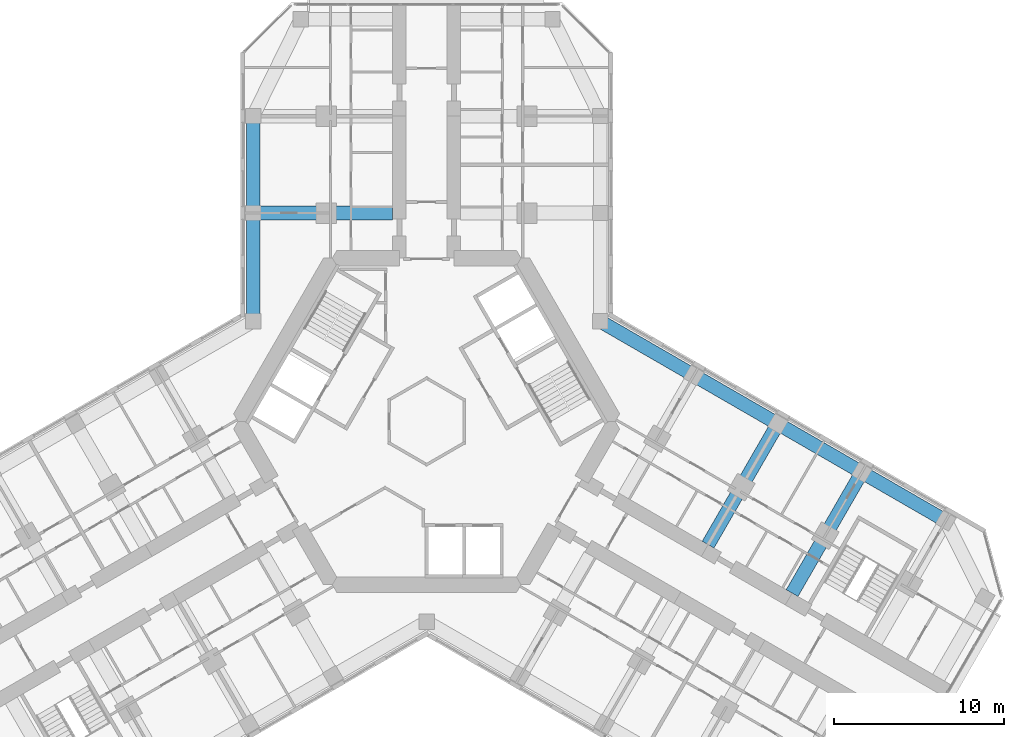
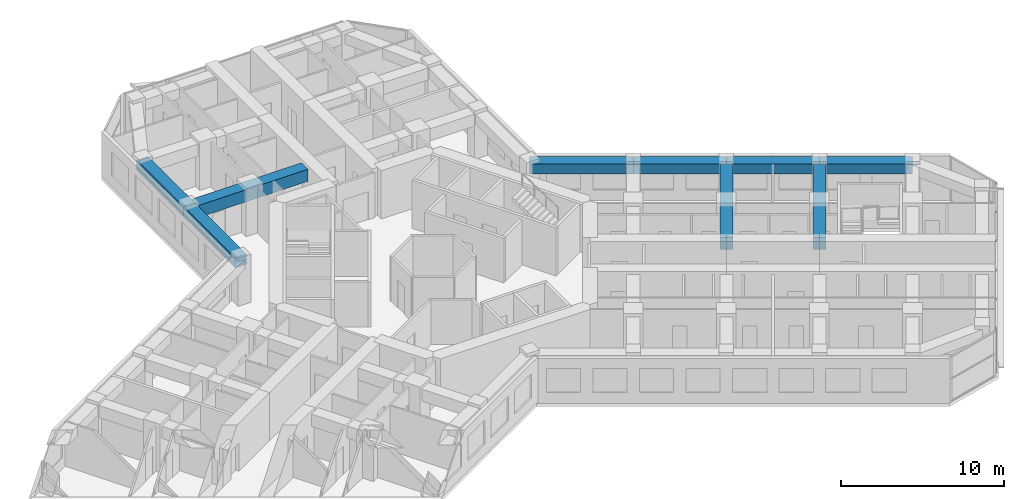
# One storey, part 6 of 20: 9 beams.
"""IFC4 building model written with IfcOpenShell, lengths in metres."""

from ifc_helpers import new_model, si_unit, direction, frame, origin, origin_2d, place, context, subcontext, project, spatial, rectangle, extrude, material, material_profile, profile_set, type_object, element, save


model = new_model("IFC4")

# Units and contexts
model_context = context("Model", 3, precision=1e-05, world=origin(), true_north=direction((0.0, 1.0)))
body_context = subcontext(model_context, "Body", "Model", "MODEL_VIEW")
ifc_project = project(units=[si_unit("LENGTHUNIT", "METRE"), si_unit("AREAUNIT", "SQUARE_METRE"), si_unit("VOLUMEUNIT", "CUBIC_METRE"), si_unit("PLANEANGLEUNIT", "RADIAN"), si_unit("MASSUNIT", "GRAM", prefix="KILO")], contexts=[model_context])

# Site, building, storey
site_placement = place(None, origin())
site = spatial("IfcSite", under=ifc_project, at=site_placement, CompositionType="ELEMENT")
building_placement = place(site_placement, origin())
building = spatial("IfcBuilding", under=site, at=building_placement, Name="Kosmar Iwan School Tower", CompositionType="ELEMENT")
storey_placement = place(building_placement, frame((0.0, 0.0, 131.0)))
storey = spatial("IfcBuildingStorey", under=building, at=storey_placement, Name="L32", CompositionType="ELEMENT", Elevation=131.0)

# Beams
ifc_material_1 = material(Name="Concrete C50/60", Category="concrete")
ifc_material_profile_1 = material_profile(ifc_material_1, rectangle(XDim=0.800048828125, YDim=0.75, at=origin_2d()), Name="RC 800x750")
ifc_profile_set_1 = profile_set([ifc_material_profile_1], Name="Concrete C50/60")
beam_type_1 = type_object("IfcBeamType", Name="RC edge beam 800x750", PredefinedType="BEAM", material=ifc_profile_set_1)
beam_1_placement = place(storey_placement, frame((-10.199951171875, 5.888916015625, 2.97509765625), z_axis=(0.0, 1.0, 0.0), x_axis=(-1.0, 0.0, 0.0)))
element("IfcBeam", 1, at=beam_1_placement, inside=storey, type_object=beam_type_1, Name="Edge beam AL1", PredefinedType="BEAM", context=body_context, shape_type="SweptSolid", body=[
    extrude(rectangle(XDim=0.800048828125, YDim=0.75, at=origin_2d()), origin(), (0.0, 0.0, 1.0), 6.361083984375),
])
beam_2_placement = place(storey_placement, frame((-10.199951171875, 12.25, 2.97509765625), z_axis=(0.0, 1.0, 0.0), x_axis=(-1.0, 0.0, 0.0)))
element("IfcBeam", 2, at=beam_2_placement, inside=storey, type_object=beam_type_1, Name="Edge beam AL2", PredefinedType="BEAM", context=body_context, shape_type="SweptSolid", body=[
    extrude(rectangle(XDim=0.800048828125, YDim=0.75, at=origin_2d()), origin(), (0.0, 0.0, 1.0), 5.699951171875),
])
beam_3_placement = place(storey_placement, frame((10.199951171875, 5.888916015625, 2.97509765625), z_axis=(0.866030912664, -0.49999045822, 0.0), x_axis=(0.49999045822, 0.866030912664, 0.0)))
element("IfcBeam", 3, at=beam_3_placement, inside=storey, type_object=beam_type_1, Name="Edge beam CL1", PredefinedType="BEAM", context=body_context, shape_type="SweptSolid", body=[
    extrude(rectangle(XDim=0.800048828125, YDim=0.75, at=origin_2d()), origin(), (0.0, 0.0, 1.0), 6.36083984375),
])
beam_4_placement = place(storey_placement, frame((15.708740234375, 2.70849609375, 2.97509765625), z_axis=(0.866025820012, -0.499999279071, 0.0), x_axis=(0.499999279071, 0.866025820012, 0.0)))
element("IfcBeam", 4, at=beam_4_placement, inside=storey, type_object=beam_type_1, Name="Edge beam CL2", PredefinedType="BEAM", context=body_context, shape_type="SweptSolid", body=[
    extrude(rectangle(XDim=0.800048828125, YDim=0.75, at=origin_2d()), origin(), (0.0, 0.0, 1.0), 5.7001953125),
])
for number, where, z_axis, x_axis, name in (
    (5, (20.645263671875, -0.1416015625, 2.97509765625), (0.866033658841, -0.49998570155, 0.0), (0.49998570155, 0.866033658841, 0.0), "Edge beam CL3"),
    (6, (25.58154296875, -2.991455078125, 2.97509765625), (0.866015111908, -0.50001782563, 0.0), (0.50001782563, 0.866015111908, 0.0), "Edge beam CL4"),
):
    element("IfcBeam", number, at=place(storey_placement, frame(where, z_axis=z_axis, x_axis=x_axis)), inside=storey, type_object=beam_type_1, Name=name, PredefinedType="BEAM", context=body_context, shape_type="SweptSolid", body=[
        extrude(rectangle(XDim=0.800048828125, YDim=0.75, at=origin_2d()), origin(), (0.0, 0.0, 1.0), 5.699951171875),
    ])
ifc_material_2 = material(Name="Concrete C50/60", Category="concrete")
ifc_material_profile_2 = material_profile(ifc_material_2, rectangle(XDim=0.800048828125, YDim=0.89990234375, at=origin_2d()), Name="RC 800x900")
ifc_profile_set_2 = profile_set([ifc_material_profile_2], Name="Concrete C50/60")
beam_type_2 = type_object("IfcBeamType", Name="RC transverse beam 800x900", PredefinedType="BEAM", material=ifc_profile_set_2)
for number, where, z_axis, x_axis, name in (
    (7, (-10.199951171875, 12.25, 2.89990234375), (1.0, 0.0, 0.0), (0.0, 1.0, 0.0), "Transverse beam AL1"),
    (8, (20.645263671875, -0.1416015625, 2.89990234375), (-0.500013681986, -0.866017504342, 0.0), (0.866017504342, -0.500013681986, 0.0), "Transverse beam CL2"),
):
    element("IfcBeam", number, at=place(storey_placement, frame(where, z_axis=z_axis, x_axis=x_axis)), inside=storey, type_object=beam_type_2, Name=name, PredefinedType="BEAM", context=body_context, shape_type="SweptSolid", body=[
        extrude(rectangle(XDim=0.800048828125, YDim=0.89990234375, at=origin_2d()), origin(), (0.0, 0.0, 1.0), 8.199951171875),
    ])
beam_5_placement = place(storey_placement, frame((25.58154296875, -2.991455078125, 2.89990234375), z_axis=(-0.500000789788, -0.8660249478, 0.0), x_axis=(0.8660249478, -0.500000789788, 0.0)))
element("IfcBeam", 9, at=beam_5_placement, inside=storey, type_object=beam_type_2, Name="Transverse beam CL3", PredefinedType="BEAM", context=body_context, shape_type="SweptSolid", body=[
    extrude(rectangle(XDim=0.800048828125, YDim=0.89990234375, at=origin_2d()), origin(), (0.0, 0.0, 1.0), 8.2001953125),
])

save(model, "model.ifc")
